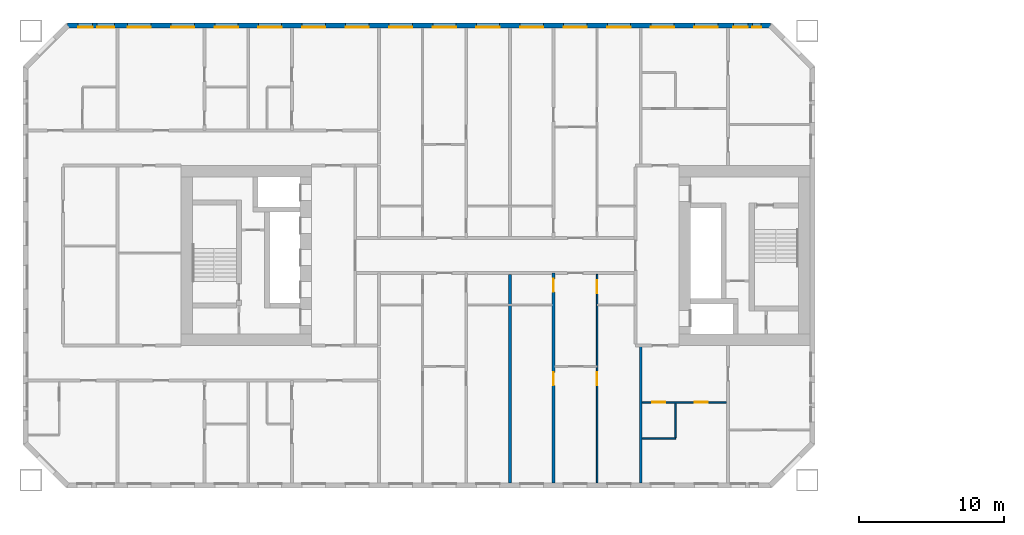
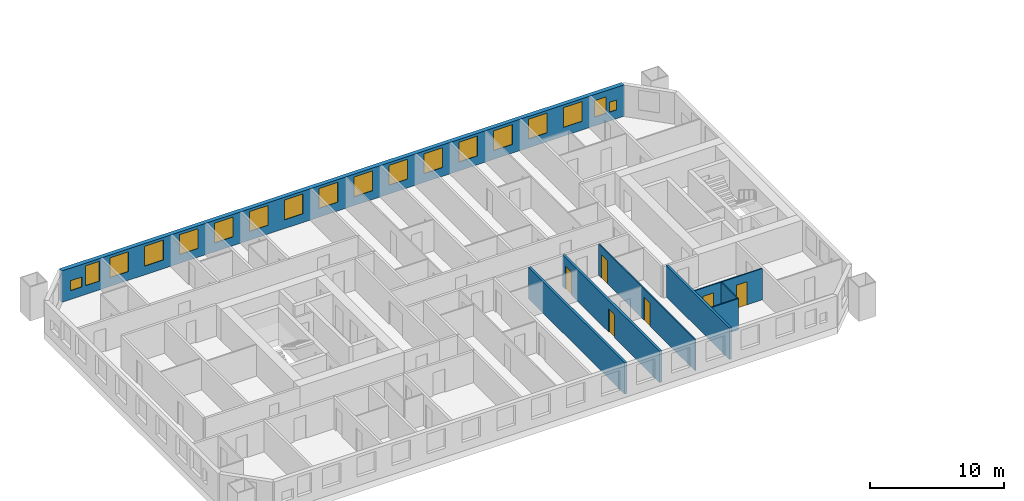
# One storey, part 6 of 17: 18 windows, 8 walls, 6 doors, 24 openings.
"""IFC4 building model written with IfcOpenShell, lengths in metres."""

from ifc_helpers import new_model, si_unit, direction, frame, frame_2d, origin, place, context, subcontext, project, spatial, rectangle, extrude, material, layer, layer_set, type_object, element, fill, save


model = new_model("IFC4")

# Units and contexts
model_context = context("Model", 3, precision=1e-05, world=origin(), true_north=direction((0.0, 1.0)))
body_context = subcontext(model_context, "Body", "Model", "MODEL_VIEW")
ifc_project = project(units=[si_unit("LENGTHUNIT", "METRE"), si_unit("AREAUNIT", "SQUARE_METRE"), si_unit("VOLUMEUNIT", "CUBIC_METRE"), si_unit("PLANEANGLEUNIT", "RADIAN"), si_unit("MASSUNIT", "GRAM", prefix="KILO")], contexts=[model_context])

# Site, building, storey
site_placement = place(None, origin())
site = spatial("IfcSite", under=ifc_project, at=site_placement, CompositionType="ELEMENT")
building_placement = place(site_placement, origin())
building = spatial("IfcBuilding", under=site, at=building_placement, Name="Tuart Gate Housing", CompositionType="ELEMENT")
storey_placement = place(building_placement, frame((0.0, 0.0, 44.300048828125)))
storey = spatial("IfcBuildingStorey", under=building, at=storey_placement, Name="L11", CompositionType="ELEMENT", Elevation=44.300048828125)

# Wall, openings, windows
ifc_material_1 = material(Name="Brick", Category="masonry")
ifc_layer_1 = layer(ifc_material_1, 0.360107421875)
ifc_layer_set_1 = layer_set([ifc_layer_1], Name="Brick pier and spandrel wall 360")
wall_type_1 = type_object("IfcWallType", Name="Brick pier and spandrel wall 360", PredefinedType="STANDARD", material=ifc_layer_set_1)
wall_1_placement = place(storey_placement, frame((72.92529296875, 85.820068359375, 0.0), z_axis=(0.0, 0.0, 1.0), x_axis=(-1.0, 0.0, 0.0)))
wall_1 = element("IfcWall", 1, at=wall_1_placement, inside=storey, type_object=wall_type_1, Name="External wall A-N L11", PredefinedType="STANDARD", context=body_context, shape_type="SweptSolid", body=[
    extrude(rectangle(XDim=48.350830078125, YDim=0.360107421875, at=frame_2d((24.17529296875, 0.0))), origin(), (0.0, 0.0, 1.0), 2.849853515625),
])
opening_1_placement = place(wall_1_placement, frame((0.64990234375, 0.0, 0.800048828125)))
opening_1 = element("IfcOpeningElement", 2, at=opening_1_placement, cuts=wall_1, Name="Opening W1W", PredefinedType="OPENING", context=body_context, shape_type="SweptSolid", body=[
    extrude(rectangle(XDim=0.60009765625, YDim=0.89990234375, at=frame_2d((0.300048828125, 0.449951171875))), frame((0.0, 0.18994140625, 0.0), z_axis=(0.0, -1.0, 0.0), x_axis=(1.0, 0.0, 0.0)), (0.0, 0.0, 1.0), 0.380126953125),
])
opening_2_placement = place(wall_1_placement, frame((3.62548828125, 0.0, 0.800048828125)))
opening_2 = element("IfcOpeningElement", 3, at=opening_2_placement, cuts=wall_1, Name="Opening W1", PredefinedType="OPENING", context=body_context, shape_type="SweptSolid", body=[
    extrude(rectangle(XDim=1.60009765625, YDim=1.800048828125, at=frame_2d((0.800048828125, 0.89990234375))), frame((0.0, 0.18994140625, 0.0), z_axis=(0.0, -1.0, 0.0), x_axis=(1.0, 0.0, 0.0)), (0.0, 0.0, 1.0), 0.380126953125),
])
opening_3_placement = place(wall_1_placement, frame((6.62548828125, 0.0, 0.800048828125)))
opening_3 = element("IfcOpeningElement", 4, at=opening_3_placement, cuts=wall_1, Name="Opening W1", PredefinedType="OPENING", context=body_context, shape_type="SweptSolid", body=[
    extrude(rectangle(XDim=1.60009765625, YDim=1.800048828125, at=frame_2d((0.800048828125, 0.89990234375))), frame((0.0, 0.18994140625, 0.0), z_axis=(0.0, -1.0, 0.0), x_axis=(1.0, 0.0, 0.0)), (0.0, 0.0, 1.0), 0.380126953125),
])
opening_4_placement = place(wall_1_placement, frame((9.62548828125, 0.0, 0.800048828125)))
opening_4 = element("IfcOpeningElement", 5, at=opening_4_placement, cuts=wall_1, Name="Opening W1", PredefinedType="OPENING", context=body_context, shape_type="SweptSolid", body=[
    extrude(rectangle(XDim=1.60009765625, YDim=1.800048828125, at=frame_2d((0.800048828125, 0.89990234375))), frame((0.0, 0.18994140625, 0.0), z_axis=(0.0, -1.0, 0.0), x_axis=(1.0, 0.0, 0.0)), (0.0, 0.0, 1.0), 0.380126953125),
])
opening_5_placement = place(wall_1_placement, frame((12.62548828125, 0.0, 0.800048828125)))
opening_5 = element("IfcOpeningElement", 6, at=opening_5_placement, cuts=wall_1, Name="Opening W1", PredefinedType="OPENING", context=body_context, shape_type="SweptSolid", body=[
    extrude(rectangle(XDim=1.60009765625, YDim=1.800048828125, at=frame_2d((0.800048828125, 0.89990234375))), frame((0.0, 0.18994140625, 0.0), z_axis=(0.0, -1.0, 0.0), x_axis=(1.0, 0.0, 0.0)), (0.0, 0.0, 1.0), 0.380126953125),
])
opening_6_placement = place(wall_1_placement, frame((15.62548828125, 0.0, 0.800048828125)))
opening_6 = element("IfcOpeningElement", 7, at=opening_6_placement, cuts=wall_1, Name="Opening W1", PredefinedType="OPENING", context=body_context, shape_type="SweptSolid", body=[
    extrude(rectangle(XDim=1.60009765625, YDim=1.800048828125, at=frame_2d((0.800048828125, 0.89990234375))), frame((0.0, 0.18994140625, 0.0), z_axis=(0.0, -1.0, 0.0), x_axis=(1.0, 0.0, 0.0)), (0.0, 0.0, 1.0), 0.380126953125),
])
opening_7_placement = place(wall_1_placement, frame((18.62548828125, 0.0, 0.800048828125)))
opening_7 = element("IfcOpeningElement", 8, at=opening_7_placement, cuts=wall_1, Name="Opening W1", PredefinedType="OPENING", context=body_context, shape_type="SweptSolid", body=[
    extrude(rectangle(XDim=1.60009765625, YDim=1.800048828125, at=frame_2d((0.800048828125, 0.89990234375))), frame((0.0, 0.18994140625, 0.0), z_axis=(0.0, -1.0, 0.0), x_axis=(1.0, 0.0, 0.0)), (0.0, 0.0, 1.0), 0.380126953125),
])
opening_8_placement = place(wall_1_placement, frame((21.62548828125, 0.0, 0.800048828125)))
opening_8 = element("IfcOpeningElement", 9, at=opening_8_placement, cuts=wall_1, Name="Opening W1", PredefinedType="OPENING", context=body_context, shape_type="SweptSolid", body=[
    extrude(rectangle(XDim=1.60009765625, YDim=1.800048828125, at=frame_2d((0.800048828125, 0.89990234375))), frame((0.0, 0.18994140625, 0.0), z_axis=(0.0, -1.0, 0.0), x_axis=(1.0, 0.0, 0.0)), (0.0, 0.0, 1.0), 0.380126953125),
])
opening_9_placement = place(wall_1_placement, frame((24.62548828125, 0.0, 0.800048828125)))
opening_9 = element("IfcOpeningElement", 10, at=opening_9_placement, cuts=wall_1, Name="Opening W1", PredefinedType="OPENING", context=body_context, shape_type="SweptSolid", body=[
    extrude(rectangle(XDim=1.60009765625, YDim=1.800048828125, at=frame_2d((0.800048828125, 0.89990234375))), frame((0.0, 0.18994140625, 0.0), z_axis=(0.0, -1.0, 0.0), x_axis=(1.0, 0.0, 0.0)), (0.0, 0.0, 1.0), 0.380126953125),
])
opening_10_placement = place(wall_1_placement, frame((27.62548828125, 0.0, 0.800048828125)))
opening_10 = element("IfcOpeningElement", 11, at=opening_10_placement, cuts=wall_1, Name="Opening W1", PredefinedType="OPENING", context=body_context, shape_type="SweptSolid", body=[
    extrude(rectangle(XDim=1.60009765625, YDim=1.800048828125, at=frame_2d((0.800048828125, 0.89990234375))), frame((0.0, 0.18994140625, 0.0), z_axis=(0.0, -1.0, 0.0), x_axis=(1.0, 0.0, 0.0)), (0.0, 0.0, 1.0), 0.380126953125),
])
opening_11_placement = place(wall_1_placement, frame((30.62548828125, 0.0, 0.800048828125)))
opening_11 = element("IfcOpeningElement", 12, at=opening_11_placement, cuts=wall_1, Name="Opening W1", PredefinedType="OPENING", context=body_context, shape_type="SweptSolid", body=[
    extrude(rectangle(XDim=1.60009765625, YDim=1.800048828125, at=frame_2d((0.800048828125, 0.89990234375))), frame((0.0, 0.18994140625, 0.0), z_axis=(0.0, -1.0, 0.0), x_axis=(1.0, 0.0, 0.0)), (0.0, 0.0, 1.0), 0.380126953125),
])
opening_12_placement = place(wall_1_placement, frame((33.62548828125, 0.0, 0.800048828125)))
opening_12 = element("IfcOpeningElement", 13, at=opening_12_placement, cuts=wall_1, Name="Opening W1", PredefinedType="OPENING", context=body_context, shape_type="SweptSolid", body=[
    extrude(rectangle(XDim=1.60009765625, YDim=1.800048828125, at=frame_2d((0.800048828125, 0.89990234375))), frame((0.0, 0.18994140625, 0.0), z_axis=(0.0, -1.0, 0.0), x_axis=(1.0, 0.0, 0.0)), (0.0, 0.0, 1.0), 0.380126953125),
])
opening_13_placement = place(wall_1_placement, frame((36.62548828125, 0.0, 0.800048828125)))
opening_13 = element("IfcOpeningElement", 14, at=opening_13_placement, cuts=wall_1, Name="Opening W1", PredefinedType="OPENING", context=body_context, shape_type="SweptSolid", body=[
    extrude(rectangle(XDim=1.60009765625, YDim=1.800048828125, at=frame_2d((0.800048828125, 0.89990234375))), frame((0.0, 0.18994140625, 0.0), z_axis=(0.0, -1.0, 0.0), x_axis=(1.0, 0.0, 0.0)), (0.0, 0.0, 1.0), 0.380126953125),
])
opening_14_placement = place(wall_1_placement, frame((39.62548828125, 0.0, 0.800048828125)))
opening_14 = element("IfcOpeningElement", 15, at=opening_14_placement, cuts=wall_1, Name="Opening W1", PredefinedType="OPENING", context=body_context, shape_type="SweptSolid", body=[
    extrude(rectangle(XDim=1.60009765625, YDim=1.800048828125, at=frame_2d((0.800048828125, 0.89990234375))), frame((0.0, 0.18994140625, 0.0), z_axis=(0.0, -1.0, 0.0), x_axis=(1.0, 0.0, 0.0)), (0.0, 0.0, 1.0), 0.380126953125),
])
opening_15_placement = place(wall_1_placement, frame((42.62548828125, 0.0, 0.800048828125)))
opening_15 = element("IfcOpeningElement", 16, at=opening_15_placement, cuts=wall_1, Name="Opening W1", PredefinedType="OPENING", context=body_context, shape_type="SweptSolid", body=[
    extrude(rectangle(XDim=1.60009765625, YDim=1.800048828125, at=frame_2d((0.800048828125, 0.89990234375))), frame((0.0, 0.18994140625, 0.0), z_axis=(0.0, -1.0, 0.0), x_axis=(1.0, 0.0, 0.0)), (0.0, 0.0, 1.0), 0.380126953125),
])
opening_16_placement = place(wall_1_placement, frame((45.12548828125, 0.0, 0.800048828125)))
opening_16 = element("IfcOpeningElement", 17, at=opening_16_placement, cuts=wall_1, Name="Opening W1B", PredefinedType="OPENING", context=body_context, shape_type="SweptSolid", body=[
    extrude(rectangle(XDim=1.199951171875, YDim=1.800048828125, at=frame_2d((0.60009765625, 0.89990234375))), frame((0.0, 0.18994140625, 0.0), z_axis=(0.0, -1.0, 0.0), x_axis=(1.0, 0.0, 0.0)), (0.0, 0.0, 1.0), 0.380126953125),
])
opening_17_placement = place(wall_1_placement, frame((1.550048828125, 0.0, 0.800048828125)))
opening_17 = element("IfcOpeningElement", 18, at=opening_17_placement, cuts=wall_1, Name="Opening W1I", PredefinedType="OPENING", context=body_context, shape_type="SweptSolid", body=[
    extrude(rectangle(XDim=1.0, YDim=1.5, at=frame_2d((0.5, 0.75))), frame((0.0, 0.18994140625, 0.0), z_axis=(0.0, -1.0, 0.0), x_axis=(1.0, 0.0, 0.0)), (0.0, 0.0, 1.0), 0.380126953125),
])
opening_18_placement = place(wall_1_placement, frame((46.62548828125, 0.0, 0.800048828125)))
opening_18 = element("IfcOpeningElement", 19, at=opening_18_placement, cuts=wall_1, Name="Opening W1U", PredefinedType="OPENING", context=body_context, shape_type="SweptSolid", body=[
    extrude(rectangle(XDim=1.0, YDim=0.89990234375, at=frame_2d((0.5, 0.449951171875))), frame((0.0, 0.18994140625, 0.0), z_axis=(0.0, -1.0, 0.0), x_axis=(1.0, 0.0, 0.0)), (0.0, 0.0, 1.0), 0.380126953125),
])
ifc_material_2 = material(Name="Aluminium frame with clear glass", Category="aluminium")
window_type_1 = type_object("IfcWindowType", Name="Punched window 1000 x 1500", PartitioningType="SINGLE_PANEL", PredefinedType="WINDOW", material=ifc_material_2)
window_1_placement = place(opening_17_placement, origin())
window_1 = element("IfcWindow", 20, at=window_1_placement, inside=storey, type_object=window_type_1, Name="Window W1I", OverallHeight=1.5, OverallWidth=1.0, PartitioningType="SINGLE_PANEL", PredefinedType="WINDOW", context=body_context, shape_type="SweptSolid", body=[
    extrude(rectangle(XDim=1.0, YDim=1.5, at=frame_2d((0.5, 0.75))), frame((0.0, 0.150146484375, 0.0), z_axis=(0.0, -1.0, 0.0), x_axis=(1.0, 0.0, 0.0)), (0.0, 0.0, 1.0), 0.06005859375),
])
fill(opening_17, window_1)
ifc_material_3 = material(Name="Aluminium frame with clear glass", Category="aluminium")
window_type_2 = type_object("IfcWindowType", Name="Punched window 1000 x 900", PartitioningType="SINGLE_PANEL", PredefinedType="WINDOW", material=ifc_material_3)
window_2_placement = place(opening_18_placement, origin())
window_2 = element("IfcWindow", 21, at=window_2_placement, inside=storey, type_object=window_type_2, Name="Window W1U", OverallHeight=0.89990234375, OverallWidth=1.0, PartitioningType="SINGLE_PANEL", PredefinedType="WINDOW", context=body_context, shape_type="SweptSolid", body=[
    extrude(rectangle(XDim=1.0, YDim=0.89990234375, at=frame_2d((0.5, 0.449951171875))), frame((0.0, 0.150146484375, 0.0), z_axis=(0.0, -1.0, 0.0), x_axis=(1.0, 0.0, 0.0)), (0.0, 0.0, 1.0), 0.06005859375),
])
fill(opening_18, window_2)
ifc_material_4 = material(Name="Aluminium frame with clear glass", Category="aluminium")
window_type_3 = type_object("IfcWindowType", Name="Punched window 1200 x 1800", PartitioningType="SINGLE_PANEL", PredefinedType="WINDOW", material=ifc_material_4)
window_3_placement = place(opening_16_placement, origin())
window_3 = element("IfcWindow", 22, at=window_3_placement, inside=storey, type_object=window_type_3, Name="Window W1B", OverallHeight=1.800048828125, OverallWidth=1.199951171875, PartitioningType="SINGLE_PANEL", PredefinedType="WINDOW", context=body_context, shape_type="SweptSolid", body=[
    extrude(rectangle(XDim=1.199951171875, YDim=1.800048828125, at=frame_2d((0.60009765625, 0.89990234375))), frame((0.0, 0.150146484375, 0.0), z_axis=(0.0, -1.0, 0.0), x_axis=(1.0, 0.0, 0.0)), (0.0, 0.0, 1.0), 0.06005859375),
])
fill(opening_16, window_3)
ifc_material_5 = material(Name="Aluminium frame with clear glass", Category="aluminium")
window_type_4 = type_object("IfcWindowType", Name="Punched window 1600 x 1800", PartitioningType="SINGLE_PANEL", PredefinedType="WINDOW", material=ifc_material_5)
window_4_placement = place(opening_2_placement, origin())
window_4 = element("IfcWindow", 23, at=window_4_placement, inside=storey, type_object=window_type_4, Name="Window W1", OverallHeight=1.800048828125, OverallWidth=1.60009765625, PartitioningType="SINGLE_PANEL", PredefinedType="WINDOW", context=body_context, shape_type="SweptSolid", body=[
    extrude(rectangle(XDim=1.60009765625, YDim=1.800048828125, at=frame_2d((0.800048828125, 0.89990234375))), frame((0.0, 0.150146484375, 0.0), z_axis=(0.0, -1.0, 0.0), x_axis=(1.0, 0.0, 0.0)), (0.0, 0.0, 1.0), 0.06005859375),
])
fill(opening_2, window_4)
window_5_placement = place(opening_3_placement, origin())
window_5 = element("IfcWindow", 24, at=window_5_placement, inside=storey, type_object=window_type_4, Name="Window W1", OverallHeight=1.800048828125, OverallWidth=1.60009765625, PartitioningType="SINGLE_PANEL", PredefinedType="WINDOW", context=body_context, shape_type="SweptSolid", body=[
    extrude(rectangle(XDim=1.60009765625, YDim=1.800048828125, at=frame_2d((0.800048828125, 0.89990234375))), frame((0.0, 0.150146484375, 0.0), z_axis=(0.0, -1.0, 0.0), x_axis=(1.0, 0.0, 0.0)), (0.0, 0.0, 1.0), 0.06005859375),
])
fill(opening_3, window_5)
window_6_placement = place(opening_4_placement, origin())
window_6 = element("IfcWindow", 25, at=window_6_placement, inside=storey, type_object=window_type_4, Name="Window W1", OverallHeight=1.800048828125, OverallWidth=1.60009765625, PartitioningType="SINGLE_PANEL", PredefinedType="WINDOW", context=body_context, shape_type="SweptSolid", body=[
    extrude(rectangle(XDim=1.60009765625, YDim=1.800048828125, at=frame_2d((0.800048828125, 0.89990234375))), frame((0.0, 0.150146484375, 0.0), z_axis=(0.0, -1.0, 0.0), x_axis=(1.0, 0.0, 0.0)), (0.0, 0.0, 1.0), 0.06005859375),
])
fill(opening_4, window_6)
window_7_placement = place(opening_5_placement, origin())
window_7 = element("IfcWindow", 26, at=window_7_placement, inside=storey, type_object=window_type_4, Name="Window W1", OverallHeight=1.800048828125, OverallWidth=1.60009765625, PartitioningType="SINGLE_PANEL", PredefinedType="WINDOW", context=body_context, shape_type="SweptSolid", body=[
    extrude(rectangle(XDim=1.60009765625, YDim=1.800048828125, at=frame_2d((0.800048828125, 0.89990234375))), frame((0.0, 0.150146484375, 0.0), z_axis=(0.0, -1.0, 0.0), x_axis=(1.0, 0.0, 0.0)), (0.0, 0.0, 1.0), 0.06005859375),
])
fill(opening_5, window_7)
window_8_placement = place(opening_6_placement, origin())
window_8 = element("IfcWindow", 27, at=window_8_placement, inside=storey, type_object=window_type_4, Name="Window W1", OverallHeight=1.800048828125, OverallWidth=1.60009765625, PartitioningType="SINGLE_PANEL", PredefinedType="WINDOW", context=body_context, shape_type="SweptSolid", body=[
    extrude(rectangle(XDim=1.60009765625, YDim=1.800048828125, at=frame_2d((0.800048828125, 0.89990234375))), frame((0.0, 0.150146484375, 0.0), z_axis=(0.0, -1.0, 0.0), x_axis=(1.0, 0.0, 0.0)), (0.0, 0.0, 1.0), 0.06005859375),
])
fill(opening_6, window_8)
window_9_placement = place(opening_7_placement, origin())
window_9 = element("IfcWindow", 28, at=window_9_placement, inside=storey, type_object=window_type_4, Name="Window W1", OverallHeight=1.800048828125, OverallWidth=1.60009765625, PartitioningType="SINGLE_PANEL", PredefinedType="WINDOW", context=body_context, shape_type="SweptSolid", body=[
    extrude(rectangle(XDim=1.60009765625, YDim=1.800048828125, at=frame_2d((0.800048828125, 0.89990234375))), frame((0.0, 0.150146484375, 0.0), z_axis=(0.0, -1.0, 0.0), x_axis=(1.0, 0.0, 0.0)), (0.0, 0.0, 1.0), 0.06005859375),
])
fill(opening_7, window_9)
window_10_placement = place(opening_8_placement, origin())
window_10 = element("IfcWindow", 29, at=window_10_placement, inside=storey, type_object=window_type_4, Name="Window W1", OverallHeight=1.800048828125, OverallWidth=1.60009765625, PartitioningType="SINGLE_PANEL", PredefinedType="WINDOW", context=body_context, shape_type="SweptSolid", body=[
    extrude(rectangle(XDim=1.60009765625, YDim=1.800048828125, at=frame_2d((0.800048828125, 0.89990234375))), frame((0.0, 0.150146484375, 0.0), z_axis=(0.0, -1.0, 0.0), x_axis=(1.0, 0.0, 0.0)), (0.0, 0.0, 1.0), 0.06005859375),
])
fill(opening_8, window_10)
window_11_placement = place(opening_9_placement, origin())
window_11 = element("IfcWindow", 30, at=window_11_placement, inside=storey, type_object=window_type_4, Name="Window W1", OverallHeight=1.800048828125, OverallWidth=1.60009765625, PartitioningType="SINGLE_PANEL", PredefinedType="WINDOW", context=body_context, shape_type="SweptSolid", body=[
    extrude(rectangle(XDim=1.60009765625, YDim=1.800048828125, at=frame_2d((0.800048828125, 0.89990234375))), frame((0.0, 0.150146484375, 0.0), z_axis=(0.0, -1.0, 0.0), x_axis=(1.0, 0.0, 0.0)), (0.0, 0.0, 1.0), 0.06005859375),
])
fill(opening_9, window_11)
window_12_placement = place(opening_10_placement, origin())
window_12 = element("IfcWindow", 31, at=window_12_placement, inside=storey, type_object=window_type_4, Name="Window W1", OverallHeight=1.800048828125, OverallWidth=1.60009765625, PartitioningType="SINGLE_PANEL", PredefinedType="WINDOW", context=body_context, shape_type="SweptSolid", body=[
    extrude(rectangle(XDim=1.60009765625, YDim=1.800048828125, at=frame_2d((0.800048828125, 0.89990234375))), frame((0.0, 0.150146484375, 0.0), z_axis=(0.0, -1.0, 0.0), x_axis=(1.0, 0.0, 0.0)), (0.0, 0.0, 1.0), 0.06005859375),
])
fill(opening_10, window_12)
window_13_placement = place(opening_11_placement, origin())
window_13 = element("IfcWindow", 32, at=window_13_placement, inside=storey, type_object=window_type_4, Name="Window W1", OverallHeight=1.800048828125, OverallWidth=1.60009765625, PartitioningType="SINGLE_PANEL", PredefinedType="WINDOW", context=body_context, shape_type="SweptSolid", body=[
    extrude(rectangle(XDim=1.60009765625, YDim=1.800048828125, at=frame_2d((0.800048828125, 0.89990234375))), frame((0.0, 0.150146484375, 0.0), z_axis=(0.0, -1.0, 0.0), x_axis=(1.0, 0.0, 0.0)), (0.0, 0.0, 1.0), 0.06005859375),
])
fill(opening_11, window_13)
window_14_placement = place(opening_12_placement, origin())
window_14 = element("IfcWindow", 33, at=window_14_placement, inside=storey, type_object=window_type_4, Name="Window W1", OverallHeight=1.800048828125, OverallWidth=1.60009765625, PartitioningType="SINGLE_PANEL", PredefinedType="WINDOW", context=body_context, shape_type="SweptSolid", body=[
    extrude(rectangle(XDim=1.60009765625, YDim=1.800048828125, at=frame_2d((0.800048828125, 0.89990234375))), frame((0.0, 0.150146484375, 0.0), z_axis=(0.0, -1.0, 0.0), x_axis=(1.0, 0.0, 0.0)), (0.0, 0.0, 1.0), 0.06005859375),
])
fill(opening_12, window_14)
window_15_placement = place(opening_13_placement, origin())
window_15 = element("IfcWindow", 34, at=window_15_placement, inside=storey, type_object=window_type_4, Name="Window W1", OverallHeight=1.800048828125, OverallWidth=1.60009765625, PartitioningType="SINGLE_PANEL", PredefinedType="WINDOW", context=body_context, shape_type="SweptSolid", body=[
    extrude(rectangle(XDim=1.60009765625, YDim=1.800048828125, at=frame_2d((0.800048828125, 0.89990234375))), frame((0.0, 0.150146484375, 0.0), z_axis=(0.0, -1.0, 0.0), x_axis=(1.0, 0.0, 0.0)), (0.0, 0.0, 1.0), 0.06005859375),
])
fill(opening_13, window_15)
window_16_placement = place(opening_14_placement, origin())
window_16 = element("IfcWindow", 35, at=window_16_placement, inside=storey, type_object=window_type_4, Name="Window W1", OverallHeight=1.800048828125, OverallWidth=1.60009765625, PartitioningType="SINGLE_PANEL", PredefinedType="WINDOW", context=body_context, shape_type="SweptSolid", body=[
    extrude(rectangle(XDim=1.60009765625, YDim=1.800048828125, at=frame_2d((0.800048828125, 0.89990234375))), frame((0.0, 0.150146484375, 0.0), z_axis=(0.0, -1.0, 0.0), x_axis=(1.0, 0.0, 0.0)), (0.0, 0.0, 1.0), 0.06005859375),
])
fill(opening_14, window_16)
window_17_placement = place(opening_15_placement, origin())
window_17 = element("IfcWindow", 36, at=window_17_placement, inside=storey, type_object=window_type_4, Name="Window W1", OverallHeight=1.800048828125, OverallWidth=1.60009765625, PartitioningType="SINGLE_PANEL", PredefinedType="WINDOW", context=body_context, shape_type="SweptSolid", body=[
    extrude(rectangle(XDim=1.60009765625, YDim=1.800048828125, at=frame_2d((0.800048828125, 0.89990234375))), frame((0.0, 0.150146484375, 0.0), z_axis=(0.0, -1.0, 0.0), x_axis=(1.0, 0.0, 0.0)), (0.0, 0.0, 1.0), 0.06005859375),
])
fill(opening_15, window_17)
ifc_material_6 = material(Name="Aluminium frame with clear glass", Category="aluminium")
window_type_5 = type_object("IfcWindowType", Name="Punched window 600 x 900", PartitioningType="SINGLE_PANEL", PredefinedType="WINDOW", material=ifc_material_6)
window_18_placement = place(opening_1_placement, origin())
window_18 = element("IfcWindow", 37, at=window_18_placement, inside=storey, type_object=window_type_5, Name="Window W1W", OverallHeight=0.89990234375, OverallWidth=0.60009765625, PartitioningType="SINGLE_PANEL", PredefinedType="WINDOW", context=body_context, shape_type="SweptSolid", body=[
    extrude(rectangle(XDim=0.60009765625, YDim=0.89990234375, at=frame_2d((0.300048828125, 0.449951171875))), frame((0.0, 0.150146484375, 0.0), z_axis=(0.0, -1.0, 0.0), x_axis=(1.0, 0.0, 0.0)), (0.0, 0.0, 1.0), 0.06005859375),
])
fill(opening_1, window_18)

# Wall
ifc_material_7 = material(Name="Gypsum board on steel studs", Category="steel")
ifc_layer_2 = layer(ifc_material_7, 0.10009765625)
ifc_layer_set_2 = layer_set([ifc_layer_2], Name="Partition 100")
wall_type_2 = type_object("IfcWallType", Name="Partition 100", PredefinedType="PARTITIONING", material=ifc_layer_set_2)
wall_2_placement = place(storey_placement, frame((64.10009765625, 57.39990234375, 0.0), z_axis=(0.0, 0.0, 1.0), x_axis=(1.0, 0.0, 0.0)))
element("IfcWall", 38, at=wall_2_placement, inside=storey, type_object=wall_type_2, Name="Partition 100", PredefinedType="PARTITIONING", context=body_context, shape_type="SweptSolid", body=[
    extrude(rectangle(XDim=2.2998046875, YDim=0.10009765625, at=frame_2d((1.14990234375, 0.0))), origin(), (0.0, 0.0, 1.0), 2.849853515625),
])

# Wall, openings, doors
wall_3_placement = place(storey_placement, frame((64.10009765625, 59.89990234375, 0.0), z_axis=(0.0, 0.0, 1.0), x_axis=(1.0, 0.0, 0.0)))
wall_3 = element("IfcWall", 39, at=wall_3_placement, inside=storey, type_object=wall_type_2, Name="Partition 100", PredefinedType="PARTITIONING", context=body_context, shape_type="SweptSolid", body=[
    extrude(rectangle(XDim=5.7998046875, YDim=0.10009765625, at=frame_2d((2.89990234375, 0.0))), origin(), (0.0, 0.0, 1.0), 2.849853515625),
])
opening_19_placement = place(wall_3_placement, frame((3.60009765625, 0.0, 0.0)))
opening_19 = element("IfcOpeningElement", 40, at=opening_19_placement, cuts=wall_3, Name="Opening D648", PredefinedType="OPENING", context=body_context, shape_type="SweptSolid", body=[
    extrude(rectangle(XDim=0.89990234375, YDim=2.10009765625, at=frame_2d((0.449951171875, 1.050048828125))), frame((0.0, 0.06005859375, 0.0), z_axis=(0.0, -1.0, 0.0), x_axis=(1.0, 0.0, 0.0)), (0.0, 0.0, 1.0), 0.1201171875),
])
opening_20_placement = place(wall_3_placement, frame((0.699951171875, 0.0, 0.0)))
opening_20 = element("IfcOpeningElement", 41, at=opening_20_placement, cuts=wall_3, Name="Opening D647", PredefinedType="OPENING", context=body_context, shape_type="SweptSolid", body=[
    extrude(rectangle(XDim=0.89990234375, YDim=2.10009765625, at=frame_2d((0.449951171875, 1.050048828125))), frame((0.0, 0.06005859375, 0.0), z_axis=(0.0, -1.0, 0.0), x_axis=(1.0, 0.0, 0.0)), (0.0, 0.0, 1.0), 0.1201171875),
])
ifc_material_8 = material(Name="Timber door leaf in steel frame", Category="steel")
door_type_1 = type_object("IfcDoorType", Name="Bathroom door 900", OperationType="SINGLE_SWING_LEFT", PredefinedType="DOOR", material=ifc_material_8)
door_1_placement = place(opening_20_placement, frame((0.89990234375, 0.0, 0.0), z_axis=(0.0, 0.0, 1.0), x_axis=(-1.0, 0.0, 0.0)))
door_1 = element("IfcDoor", 42, at=door_1_placement, inside=storey, type_object=door_type_1, Name="Bathroom door", OperationType="SINGLE_SWING_LEFT", OverallHeight=2.10009765625, OverallWidth=0.89990234375, PredefinedType="DOOR", context=body_context, shape_type="SweptSolid", body=[
    extrude(rectangle(XDim=0.89990234375, YDim=2.10009765625, at=frame_2d((0.449951171875, 1.050048828125))), frame((0.0, 0.025146484375, 0.0), z_axis=(0.0, -1.0, 0.0), x_axis=(1.0, 0.0, 0.0)), (0.0, 0.0, 1.0), 0.050048828125),
])
fill(opening_20, door_1)
ifc_material_9 = material(Name="Timber door leaf in steel frame", Category="steel")
door_type_2 = type_object("IfcDoorType", Name="Internal door 900 RH", OperationType="SINGLE_SWING_RIGHT", PredefinedType="DOOR", material=ifc_material_9)
door_2_placement = place(opening_19_placement, frame((0.89990234375, 0.0, 0.0), z_axis=(0.0, 0.0, 1.0), x_axis=(-1.0, 0.0, 0.0)))
door_2 = element("IfcDoor", 43, at=door_2_placement, inside=storey, type_object=door_type_2, Name="Internal door", OperationType="SINGLE_SWING_RIGHT", OverallHeight=2.10009765625, OverallWidth=0.89990234375, PredefinedType="DOOR", context=body_context, shape_type="SweptSolid", body=[
    extrude(rectangle(XDim=0.89990234375, YDim=2.10009765625, at=frame_2d((0.449951171875, 1.050048828125))), frame((0.0, 0.025146484375, 0.0), z_axis=(0.0, -1.0, 0.0), x_axis=(1.0, 0.0, 0.0)), (0.0, 0.0, 1.0), 0.050048828125),
])
fill(opening_19, door_2)

wall_4_placement = place(storey_placement, frame((61.0, 54.360107421875, 0.0), z_axis=(0.0, 0.0, 1.0), x_axis=(0.0, 1.0, 0.0)))
wall_4 = element("IfcWall", 44, at=wall_4_placement, inside=storey, type_object=wall_type_2, Name="Partition 100", PredefinedType="PARTITIONING", context=body_context, shape_type="SweptSolid", body=[
    extrude(rectangle(XDim=14.33984375, YDim=0.10009765625, at=frame_2d((7.169921875, 0.0))), origin(), (0.0, 0.0, 1.0), 2.849853515625),
])
opening_21_placement = place(wall_4_placement, frame((6.699951171875, 0.0, 0.0)))
opening_21 = element("IfcOpeningElement", 45, at=opening_21_placement, cuts=wall_4, Name="Opening D643", PredefinedType="OPENING", context=body_context, shape_type="SweptSolid", body=[
    extrude(rectangle(XDim=0.89990234375, YDim=2.10009765625, at=frame_2d((0.449951171875, 1.050048828125))), frame((0.0, 0.06005859375, 0.0), z_axis=(0.0, -1.0, 0.0), x_axis=(1.0, 0.0, 0.0)), (0.0, 0.0, 1.0), 0.1201171875),
])
opening_22_placement = place(wall_4_placement, frame((13.0400390625, 0.0, 0.0)))
opening_22 = element("IfcOpeningElement", 46, at=opening_22_placement, cuts=wall_4, Name="Opening D642", PredefinedType="OPENING", context=body_context, shape_type="SweptSolid", body=[
    extrude(rectangle(XDim=0.89990234375, YDim=2.10009765625, at=frame_2d((0.449951171875, 1.050048828125))), frame((0.0, 0.06005859375, 0.0), z_axis=(0.0, -1.0, 0.0), x_axis=(1.0, 0.0, 0.0)), (0.0, 0.0, 1.0), 0.1201171875),
])
door_3_placement = place(opening_22_placement, frame((0.89990234375, 0.0, 0.0), z_axis=(0.0, 0.0, 1.0), x_axis=(-1.0, 0.0, 0.0)))
door_3 = element("IfcDoor", 47, at=door_3_placement, inside=storey, type_object=door_type_1, Name="Bathroom door", OperationType="SINGLE_SWING_LEFT", OverallHeight=2.10009765625, OverallWidth=0.89990234375, PredefinedType="DOOR", context=body_context, shape_type="SweptSolid", body=[
    extrude(rectangle(XDim=0.89990234375, YDim=2.10009765625, at=frame_2d((0.449951171875, 1.050048828125))), frame((0.0, 0.025146484375, 0.0), z_axis=(0.0, -1.0, 0.0), x_axis=(1.0, 0.0, 0.0)), (0.0, 0.0, 1.0), 0.050048828125),
])
fill(opening_22, door_3)
ifc_material_10 = material(Name="Timber door leaf in steel frame", Category="steel")
door_type_3 = type_object("IfcDoorType", Name="Internal door 900", OperationType="SINGLE_SWING_LEFT", PredefinedType="DOOR", material=ifc_material_10)
door_4_placement = place(opening_21_placement, frame((0.89990234375, 0.0, 0.0), z_axis=(0.0, 0.0, 1.0), x_axis=(-1.0, 0.0, 0.0)))
door_4 = element("IfcDoor", 48, at=door_4_placement, inside=storey, type_object=door_type_3, Name="Internal door", OperationType="SINGLE_SWING_LEFT", OverallHeight=2.10009765625, OverallWidth=0.89990234375, PredefinedType="DOOR", context=body_context, shape_type="SweptSolid", body=[
    extrude(rectangle(XDim=0.89990234375, YDim=2.10009765625, at=frame_2d((0.449951171875, 1.050048828125))), frame((0.0, 0.025146484375, 0.0), z_axis=(0.0, -1.0, 0.0), x_axis=(1.0, 0.0, 0.0)), (0.0, 0.0, 1.0), 0.050048828125),
])
fill(opening_21, door_4)

# Wall
wall_5_placement = place(storey_placement, frame((66.39990234375, 57.449951171875, 0.0), z_axis=(0.0, 0.0, 1.0), x_axis=(0.0, 1.0, 0.0)))
element("IfcWall", 49, at=wall_5_placement, inside=storey, type_object=wall_type_2, Name="Partition 100", PredefinedType="PARTITIONING", context=body_context, shape_type="SweptSolid", body=[
    extrude(rectangle(XDim=2.400146484375, YDim=0.10009765625, at=frame_2d((1.2001953125, 0.0))), origin(), (0.0, 0.0, 1.0), 2.849853515625),
])

# Wall, openings, doors
ifc_material_11 = material(Name="Concrete C40", Category="concrete")
ifc_layer_3 = layer(ifc_material_11, 0.199951171875)
ifc_layer_set_3 = layer_set([ifc_layer_3], Name="Party wall concrete C40 200")
wall_type_3 = type_object("IfcWallType", Name="Party wall concrete C40 200", PredefinedType="SOLIDWALL", material=ifc_layer_set_3)
wall_6_placement = place(storey_placement, frame((58.0, 54.360107421875, 0.0), z_axis=(0.0, 0.0, 1.0), x_axis=(0.0, 1.0, 0.0)))
wall_6 = element("IfcWall", 50, at=wall_6_placement, inside=storey, type_object=wall_type_3, Name="Party wall concrete C40 200", PredefinedType="SOLIDWALL", context=body_context, shape_type="SweptSolid", body=[
    extrude(rectangle(XDim=14.43994140625, YDim=0.199951171875, at=frame_2d((7.219970703125, 0.0))), origin(), (0.0, 0.0, 1.0), 2.849853515625),
])
opening_23_placement = place(wall_6_placement, frame((6.699951171875, 0.0, 0.0)))
opening_23 = element("IfcOpeningElement", 51, at=opening_23_placement, cuts=wall_6, Name="Opening D639", PredefinedType="OPENING", context=body_context, shape_type="SweptSolid", body=[
    extrude(rectangle(XDim=0.89990234375, YDim=2.10009765625, at=frame_2d((0.449951171875, 1.050048828125))), frame((0.0, 0.10986328125, 0.0), z_axis=(0.0, -1.0, 0.0), x_axis=(1.0, 0.0, 0.0)), (0.0, 0.0, 1.0), 0.219970703125),
])
opening_24_placement = place(wall_6_placement, frame((13.139892578125, 0.0, 0.0)))
opening_24 = element("IfcOpeningElement", 52, at=opening_24_placement, cuts=wall_6, Name="Opening D638", PredefinedType="OPENING", context=body_context, shape_type="SweptSolid", body=[
    extrude(rectangle(XDim=0.89990234375, YDim=2.10009765625, at=frame_2d((0.449951171875, 1.050048828125))), frame((0.0, 0.10986328125, 0.0), z_axis=(0.0, -1.0, 0.0), x_axis=(1.0, 0.0, 0.0)), (0.0, 0.0, 1.0), 0.219970703125),
])
ifc_material_12 = material(Name="Timber door leaf in steel frame", Category="steel")
door_type_4 = type_object("IfcDoorType", Name="Bathroom door 900 RH", OperationType="SINGLE_SWING_RIGHT", PredefinedType="DOOR", material=ifc_material_12)
door_5_placement = place(opening_24_placement, origin())
door_5 = element("IfcDoor", 53, at=door_5_placement, inside=storey, type_object=door_type_4, Name="Bathroom door", OperationType="SINGLE_SWING_RIGHT", OverallHeight=2.10009765625, OverallWidth=0.89990234375, PredefinedType="DOOR", context=body_context, shape_type="SweptSolid", body=[
    extrude(rectangle(XDim=0.89990234375, YDim=2.10009765625, at=frame_2d((0.449951171875, 1.050048828125))), frame((0.0, 0.02490234375, 0.0), z_axis=(0.0, -1.0, 0.0), x_axis=(1.0, 0.0, 0.0)), (0.0, 0.0, 1.0), 0.050048828125),
])
fill(opening_24, door_5)
door_6_placement = place(opening_23_placement, origin())
door_6 = element("IfcDoor", 54, at=door_6_placement, inside=storey, type_object=door_type_2, Name="Internal door", OperationType="SINGLE_SWING_RIGHT", OverallHeight=2.10009765625, OverallWidth=0.89990234375, PredefinedType="DOOR", context=body_context, shape_type="SweptSolid", body=[
    extrude(rectangle(XDim=0.89990234375, YDim=2.10009765625, at=frame_2d((0.449951171875, 1.050048828125))), frame((0.0, 0.02490234375, 0.0), z_axis=(0.0, -1.0, 0.0), x_axis=(1.0, 0.0, 0.0)), (0.0, 0.0, 1.0), 0.050048828125),
])
fill(opening_23, door_6)

# Walls
wall_7_placement = place(storey_placement, frame((64.0, 54.360107421875, 0.0), z_axis=(0.0, 0.0, 1.0), x_axis=(0.0, 1.0, 0.0)))
element("IfcWall", 55, at=wall_7_placement, inside=storey, type_object=wall_type_3, Name="Party wall concrete C40 200", PredefinedType="SOLIDWALL", context=body_context, shape_type="SweptSolid", body=[
    extrude(rectangle(XDim=9.43994140625, YDim=0.199951171875, at=frame_2d((4.719970703125, 0.0))), origin(), (0.0, 0.0, 1.0), 2.849853515625),
])
ifc_material_13 = material(Name="Concrete masonry 15 MPa", Category="masonry")
ifc_layer_4 = layer(ifc_material_13, 0.199951171875)
ifc_layer_set_4 = layer_set([ifc_layer_4], Name="Party wall masonry 200")
wall_type_4 = type_object("IfcWallType", Name="Party wall masonry 200", PredefinedType="PARTITIONING", material=ifc_layer_set_4)
wall_8_placement = place(storey_placement, frame((55.0, 54.360107421875, 0.0), z_axis=(0.0, 0.0, 1.0), x_axis=(0.0, 1.0, 0.0)))
element("IfcWall", 56, at=wall_8_placement, inside=storey, type_object=wall_type_4, Name="Party wall masonry 200", PredefinedType="PARTITIONING", context=body_context, shape_type="SweptSolid", body=[
    extrude(rectangle(XDim=14.33984375, YDim=0.199951171875, at=frame_2d((7.169921875, 0.0))), origin(), (0.0, 0.0, 1.0), 2.849853515625),
])

save(model, "model.ifc")
